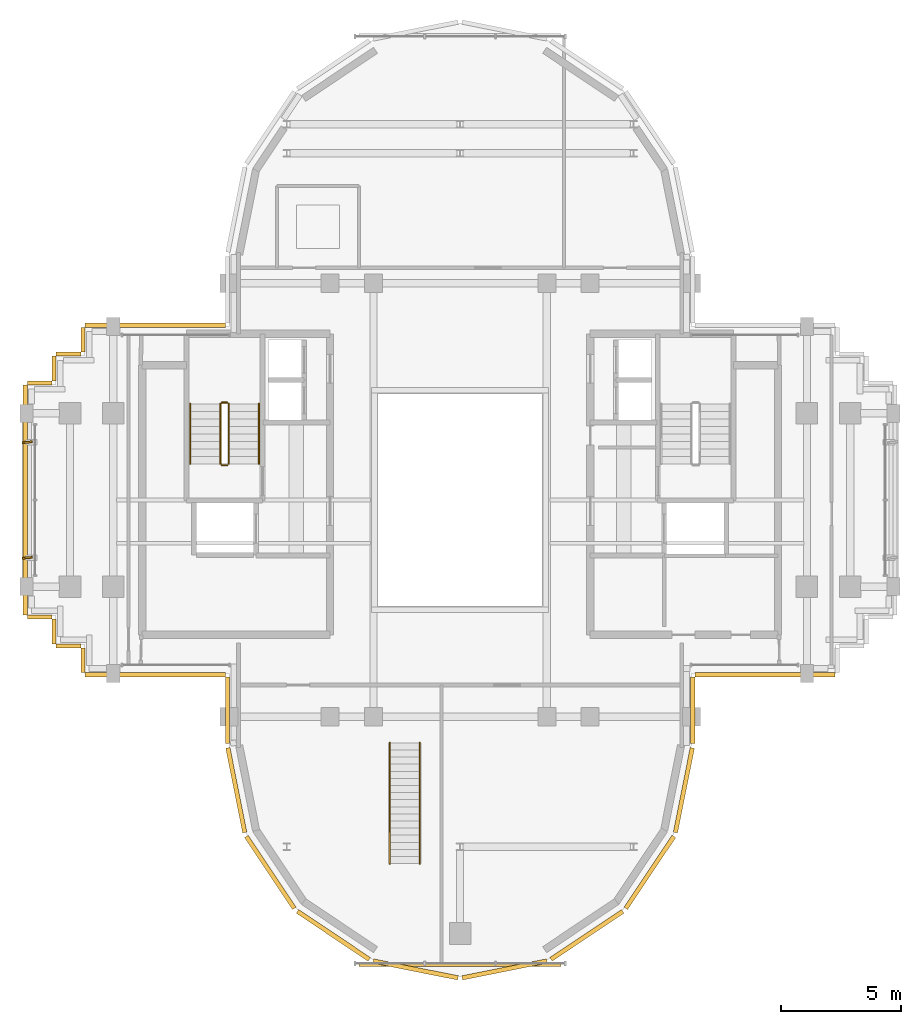
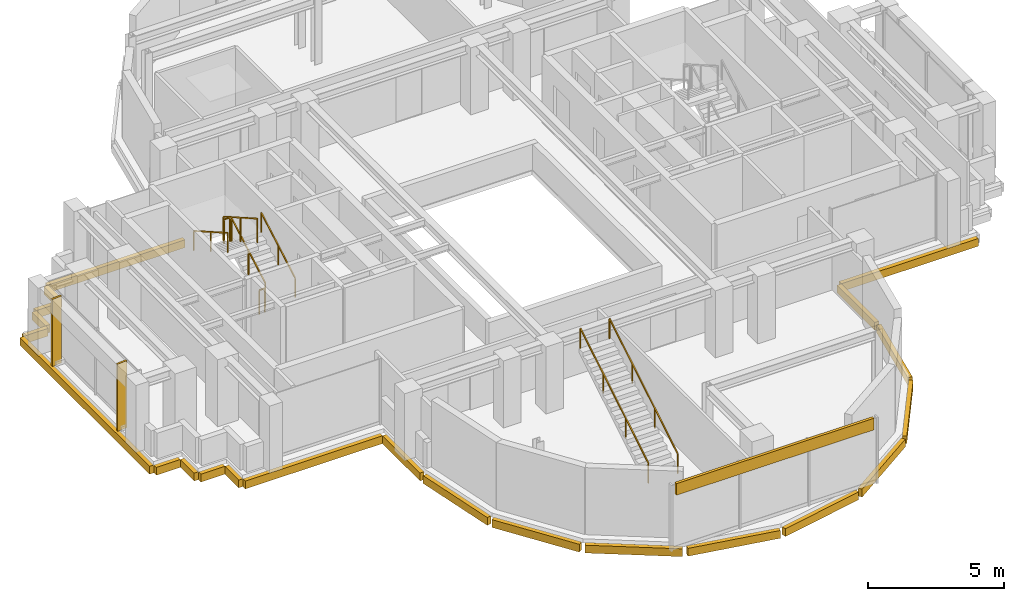
# One storey, part 11 of 12: 23 coverings, 8 railings, 2 shading devices.
"""IFC4 building model written with IfcOpenShell, lengths in metres."""

import ifcopenshell
import ifcopenshell.guid

model = None  # the IFC model being written
_history = None  # IfcOwnerHistory: only IFC2X3 demands one
_inside = {}  # id of a spatial element -> (the spatial element, [elements in it])
_under = {}  # id of a project, library or spatial element -> (it, [spatial elements below it])
_declared = {}  # id of a project -> (the project, [libraries it declares])
_typed = {}  # id of a type object -> (the type object, [elements of that type])
_made_of = {}  # id of a material, layer set ... -> (it, [elements and type objects made of it])


def new_model(schema):
    """Start an empty IFC model of exactly this schema.

    Asked for "IFC4X3", IfcOpenShell would pick the latest addendum, in which some entities
    have other attributes; the version numbers below select the first issue.
    IFC2X3 requires an IfcOwnerHistory on every rooted entity: one is made here for all.
    """
    global model, _history
    if schema == "IFC4X3":
        model = ifcopenshell.file(schema_version=(4, 3, 0, 0))
    else:
        model = ifcopenshell.file(schema=schema)
    _inside.clear()
    _under.clear()
    _declared.clear()
    _typed.clear()
    _made_of.clear()
    _history = None
    if model.schema == "IFC2X3":
        org = make("IfcOrganization", Name="unknown")
        user = make(
            "IfcPersonAndOrganization",
            ThePerson=make("IfcPerson", FamilyName="unknown"),
            TheOrganization=org,
        )
        app = make(
            "IfcApplication",
            ApplicationDeveloper=org,
            Version="unknown",
            ApplicationFullName="unknown",
            ApplicationIdentifier="unknown",
        )
        _history = make(
            "IfcOwnerHistory",
            OwningUser=user,
            OwningApplication=app,
            ChangeAction="ADDED",
            CreationDate=0,
        )
    return model


def make(cls, **values):
    """One entity of the class cls with the attributes given. An attribute that is None is left unset."""
    return model.create_entity(
        cls, **{name: value for name, value in values.items() if value is not None}
    )


def rooted(cls, **values):
    """An entity with a GlobalId (a new one), such as an element, a storey or a relation."""
    return make(cls, GlobalId=ifcopenshell.guid.new(), OwnerHistory=_history, **values)


def si_unit(unit_type, name, prefix=None):
    """IfcSIUnit, for example si_unit("LENGTHUNIT", "METRE", prefix="MILLI")."""
    return make("IfcSIUnit", UnitType=unit_type, Prefix=prefix, Name=name)


def assignment(units):
    """IfcUnitAssignment: the units of a project."""
    return None if units is None else make("IfcUnitAssignment", Units=units)


def point(xyz):
    """IfcCartesianPoint."""
    return None if xyz is None else make("IfcCartesianPoint", Coordinates=xyz)


def direction(xyz):
    """IfcDirection."""
    return None if xyz is None else make("IfcDirection", DirectionRatios=xyz)


def frame(location, z_axis=None, x_axis=None):
    """IfcAxis2Placement3D, a coordinate frame: its origin and axes. An axis left out is left unset."""
    return make(
        "IfcAxis2Placement3D",
        Location=point(location),
        Axis=direction(z_axis),
        RefDirection=direction(x_axis),
    )


def frame_2d(location, x_axis=None):
    """IfcAxis2Placement2D, a coordinate frame in the plane: its origin and x axis."""
    return make(
        "IfcAxis2Placement2D", Location=point(location), RefDirection=direction(x_axis)
    )


def origin():
    """The frame at (0, 0, 0) with its axes left unset."""
    return frame((0.0, 0.0, 0.0))


def origin_2d():
    """The frame at (0, 0) in the plane with its x axis left unset."""
    return frame_2d((0.0, 0.0))


def place(relative_to, where):
    """IfcLocalPlacement: puts the frame where relative to a parent placement (None: the world)."""
    return make(
        "IfcLocalPlacement", PlacementRelTo=relative_to, RelativePlacement=where
    )


def context(
    kind, dimensions, precision=None, world=None, true_north=None, identifier=None
):
    """IfcGeometricRepresentationContext, for example the 3D "Model" context."""
    return make(
        "IfcGeometricRepresentationContext",
        ContextIdentifier=identifier,
        ContextType=kind,
        CoordinateSpaceDimension=dimensions,
        Precision=precision,
        WorldCoordinateSystem=world,
        TrueNorth=true_north,
    )


def subcontext(parent, identifier, kind, view, scale=None):
    """IfcGeometricRepresentationSubContext, for example "Body" below "Model"."""
    return make(
        "IfcGeometricRepresentationSubContext",
        ContextIdentifier=identifier,
        ContextType=kind,
        ParentContext=parent,
        TargetScale=scale,
        TargetView=view,
    )


def project(units=None, contexts=None):
    """IfcProject with its units and contexts."""
    return rooted(
        "IfcProject",
        Name="project",
        RepresentationContexts=contexts,
        UnitsInContext=assignment(units),
    )


def spatial(cls, under=None, at=None, **own):
    """A site, building, storey or space (cls), placed at a placement, below another one or the project."""
    s = rooted(cls, ObjectPlacement=at, **own)
    if under is not None:
        _under.setdefault(under.id(), (under, []))[1].append(s)
    return s


def profile(cls, at=None, kind="AREA", **sizes):
    """A parametric profile (cls). Its sizes go by their IFC names, for example OverallWidth=200.0."""
    return make(cls, ProfileType=kind, Position=at, **sizes)


def rectangle(**sizes):
    """IfcRectangleProfileDef."""
    return profile("IfcRectangleProfileDef", **sizes)


def extrude(swept, where, along, depth):
    """IfcExtrudedAreaSolid: the profile swept, set in the frame where, extruded along a direction by depth."""
    return make(
        "IfcExtrudedAreaSolid",
        SweptArea=swept,
        Position=where,
        ExtrudedDirection=direction(along),
        Depth=depth,
    )


def shape(context_of_items, identifier, shape_type, items):
    """IfcShapeRepresentation: the items that make up one representation, for example the "Body"."""
    return make(
        "IfcShapeRepresentation",
        ContextOfItems=context_of_items,
        RepresentationIdentifier=identifier,
        RepresentationType=shape_type,
        Items=items,
    )


def source(mapping_origin, context_of_items, identifier, shape_type, items):
    """IfcRepresentationMap: a shape defined once, which mapped items show again and again."""
    return make(
        "IfcRepresentationMap",
        MappingOrigin=mapping_origin,
        MappedRepresentation=shape(context_of_items, identifier, shape_type, items),
    )


def transform(
    local_origin,
    x_axis=None,
    y_axis=None,
    z_axis=None,
    scale=None,
    scale2=None,
    scale3=None,
    uniform=True,
):
    """IfcCartesianTransformationOperator3D, or its non-uniform kind. x_axis, y_axis, z_axis: its Axis1, 2, 3."""
    if uniform:
        return make(
            "IfcCartesianTransformationOperator3D",
            Axis1=direction(x_axis),
            Axis2=direction(y_axis),
            LocalOrigin=point(local_origin),
            Scale=scale,
            Axis3=direction(z_axis),
        )
    return make(
        "IfcCartesianTransformationOperator3DnonUniform",
        Axis1=direction(x_axis),
        Axis2=direction(y_axis),
        LocalOrigin=point(local_origin),
        Scale=scale,
        Axis3=direction(z_axis),
        Scale2=scale2,
        Scale3=scale3,
    )


def mapped(mapping_source, mapping_target):
    """IfcMappedItem: shows the shape of a source again, moved by a transform."""
    return make(
        "IfcMappedItem", MappingSource=mapping_source, MappingTarget=mapping_target
    )


def material(Name=None, Category=None):
    """IfcMaterial."""
    return make("IfcMaterial", Name=Name, Category=Category)


def layer(
    of_material, thickness, ventilated=None, Name=None, Category=None, Priority=None
):
    """IfcMaterialLayer: one layer of a wall or slab, of a material (None: an air gap)."""
    return make(
        "IfcMaterialLayer",
        Material=of_material,
        LayerThickness=thickness,
        IsVentilated=ventilated,
        Name=Name,
        Category=Category,
        Priority=Priority,
    )


def layer_set(layers, Name=None):
    """IfcMaterialLayerSet."""
    return make("IfcMaterialLayerSet", MaterialLayers=layers, LayerSetName=Name)


def made_of(thing, what):
    """Note that an element or type object is made of a material, layer set ...; save() writes the relation."""
    if what is not None:
        _made_of.setdefault(what.id(), (what, []))[1].append(thing)
    return thing


def type_object(cls, material=None, **own):
    """A type object (cls), such as IfcWallType, which elements share."""
    return made_of(rooted(cls, **own), material)


def element(
    cls,
    number,
    at=None,
    inside=None,
    cuts=None,
    type_object=None,
    material=None,
    context=None,
    identifier="Body",
    shape_type=None,
    held_by="IfcProductDefinitionShape",
    body=None,
    shapes=None,
    **own,
):
    """One element of the class cls, such as IfcWall. Its Tag is "e" and its number.

    at: its placement. inside: the storey or other place that contains it. cuts: it is an
    opening in that element (IfcRelVoidsElement). A single representation is given by context,
    identifier, shape_type and body (its items); several are given by shapes. held_by: the class
    of the entity that holds the representations. save() writes the other relations.
    """
    e = rooted(cls, Tag="e%d" % number, ObjectPlacement=at, **own)
    if body is not None:
        shapes = [shape(context, identifier, shape_type, body)]
    if shapes is not None:
        e.Representation = make(held_by, Representations=shapes)
    if inside is not None:
        _inside.setdefault(inside.id(), (inside, []))[1].append(e)
    if cuts is not None:
        rooted(
            "IfcRelVoidsElement", RelatingBuildingElement=cuts, RelatedOpeningElement=e
        )
    if type_object is not None:
        _typed.setdefault(type_object.id(), (type_object, []))[1].append(e)
    return made_of(e, material)


def aggregate(whole, parts):
    """IfcRelAggregates: a whole, such as a stair, and the parts it consists of."""
    return rooted("IfcRelAggregates", RelatingObject=whole, RelatedObjects=parts)


def save(model, path):
    """Write the relations noted so far, then the file.

    IfcRelAggregates (storeys below a building ...), IfcRelContainedInSpatialStructure (elements
    in a storey), IfcRelDefinesByType, IfcRelAssociatesMaterial and IfcRelDeclares: one each for
    every whole, place, type object, material and project.
    """
    for whole, parts in _under.values():
        aggregate(whole, parts)
    for where, things in _inside.values():
        rooted(
            "IfcRelContainedInSpatialStructure",
            RelatedElements=things,
            RelatingStructure=where,
        )
    for kind, things in _typed.values():
        rooted("IfcRelDefinesByType", RelatedObjects=things, RelatingType=kind)
    for what, things in _made_of.values():
        rooted("IfcRelAssociatesMaterial", RelatedObjects=things, RelatingMaterial=what)
    for by, libraries in _declared.values():
        rooted("IfcRelDeclares", RelatingContext=by, RelatedDefinitions=libraries)
    model.write(path)


model = new_model("IFC4")

# Units and contexts
model_context = context("Model", 3, precision=1e-05, world=origin(), true_north=direction((0.0, 1.0)))
body_context = subcontext(model_context, "Body", "Model", "MODEL_VIEW")
ifc_project = project(units=[si_unit("LENGTHUNIT", "METRE"), si_unit("AREAUNIT", "SQUARE_METRE"), si_unit("VOLUMEUNIT", "CUBIC_METRE"), si_unit("PLANEANGLEUNIT", "RADIAN"), si_unit("MASSUNIT", "GRAM", prefix="KILO")], contexts=[model_context])

# Site, building, storey
site_placement = place(None, origin())
site = spatial("IfcSite", under=ifc_project, at=site_placement, CompositionType="ELEMENT")
building_placement = place(site_placement, origin())
building = spatial("IfcBuilding", under=site, at=building_placement, Name="Keilestroom Media Tower", CompositionType="ELEMENT")
storey_placement = place(building_placement, frame((0.0, 0.0, 239.60009765625)))
storey = spatial("IfcBuildingStorey", under=building, at=storey_placement, Name="L66", CompositionType="ELEMENT", Elevation=239.60009765625)

# Railings
ifc_material_1 = material(Name="Brushed Stainless Steel 1.4301", Category="steel")
railing_type_1 = type_object("IfcRailingType", Name="Stair-Pitch-Handrail-920", PredefinedType="HANDRAIL", material=ifc_material_1)
railing_1_placement = place(storey_placement, frame((-8.35009765625, 1.5, 0.177734375)))
element("IfcRailing", 1, at=railing_1_placement, inside=storey, type_object=railing_type_1, Name="L66 ST-1 stair handrail 1", PredefinedType="HANDRAIL", context=body_context, shape_type="SweptSolid", body=[
    extrude(rectangle(XDim=0.048095703125, YDim=0.048095703125, at=origin_2d()), frame((0.0, 0.0, 0.8759765625), z_axis=(0.0, 0.868875238982, 0.495031129408), x_axis=(-1.0, 0.0, 0.0)), (0.0, 0.0, 1.0), 2.872802734375),
    extrude(rectangle(XDim=0.0419921875, YDim=0.0419921875, at=origin_2d()), origin(), (0.0, 0.0, 1.0), 0.84375),
    extrude(rectangle(XDim=0.0419921875, YDim=0.0419921875, at=origin_2d()), frame((0.0, 1.248046875, 0.7109375)), (0.0, 0.0, 1.0), 0.84375),
    extrude(rectangle(XDim=0.0419921875, YDim=0.0419921875, at=origin_2d()), frame((0.0, 2.49609375, 1.422119140625)), (0.0, 0.0, 1.0), 0.84375),
])
railing_2_placement = place(storey_placement, frame((-11.2099609375, 3.99609375, 1.777587890625)))
element("IfcRailing", 2, at=railing_2_placement, inside=storey, type_object=railing_type_1, Name="L66 ST-1 stair handrail 2", PredefinedType="HANDRAIL", context=body_context, shape_type="SweptSolid", body=[
    extrude(rectangle(XDim=0.048095703125, YDim=0.048095703125, at=origin_2d()), frame((0.0, 0.0, 0.8759765625), z_axis=(0.0, -0.868838684858, 0.495095283449), x_axis=(1.0, 0.0, 0.0)), (0.0, 0.0, 1.0), 2.872802734375),
    extrude(rectangle(XDim=0.0419921875, YDim=0.0419921875, at=origin_2d()), origin(), (0.0, 0.0, 1.0), 0.84375),
    extrude(rectangle(XDim=0.0419921875, YDim=0.0419921875, at=origin_2d()), frame((0.0, -1.248046875, 0.711181640625)), (0.0, 0.0, 1.0), 0.84375),
    extrude(rectangle(XDim=0.0419921875, YDim=0.0419921875, at=origin_2d()), frame((0.0, -2.49609375, 1.42236328125)), (0.0, 0.0, 1.0), 0.84375),
])
for number, where, name in (
    (3, (-2.919921875, -15.10009765625, 0.0), "ST-F3 Handrail L"),
    (4, (-1.679931640625, -15.10009765625, 0.0), "ST-F3 Handrail R"),
):
    element("IfcRailing", number, at=place(storey_placement, frame(where)), inside=storey, type_object=railing_type_1, Name=name, PredefinedType="HANDRAIL", context=body_context, shape_type="SweptSolid", body=[
        extrude(rectangle(XDim=0.048095703125, YDim=0.048095703125, at=origin_2d()), frame((0.0, 0.0, 0.89599609375), z_axis=(0.0, 0.85650169281, 0.51614421455), x_axis=(-1.0, 0.0, 0.0)), (0.0, 0.0, 1.0), 5.85546875),
        extrude(rectangle(XDim=0.0419921875, YDim=0.0419921875, at=origin_2d()), origin(), (0.0, 0.0, 1.0), 0.86376953125),
        extrude(rectangle(XDim=0.0419921875, YDim=0.0419921875, at=origin_2d()), frame((0.0, 1.671630859375, 1.00732421875)), (0.0, 0.0, 1.0), 0.86376953125),
        extrude(rectangle(XDim=0.0419921875, YDim=0.0419921875, at=origin_2d()), frame((0.0, 3.343505859375, 2.014892578125)), (0.0, 0.0, 1.0), 0.86376953125),
        extrude(rectangle(XDim=0.0419921875, YDim=0.0419921875, at=origin_2d()), frame((0.0, 5.01513671875, 3.022216796875)), (0.0, 0.0, 1.0), 0.86376953125),
    ])
ifc_material_2 = material(Name="Painted Steel Balustrade", Category="steel")
railing_type_2 = type_object("IfcRailingType", Name="Stair-Well-And-Landing-Guard-1100", PredefinedType="GUARDRAIL", material=ifc_material_2)
railing_3_placement = place(storey_placement, frame((-9.610107421875, 1.5, 0.177734375)))
element("IfcRailing", 5, at=railing_3_placement, inside=storey, type_object=railing_type_2, Name="L66 ST-1 stair guard 1", PredefinedType="GUARDRAIL", context=body_context, shape_type="SweptSolid", body=[
    extrude(rectangle(XDim=0.048095703125, YDim=0.048095703125, at=origin_2d()), frame((0.0, 0.0, 1.076171875), z_axis=(0.0, 0.868875238982, 0.495031129408), x_axis=(-1.0, 0.0, 0.0)), (0.0, 0.0, 1.0), 2.872802734375),
    extrude(rectangle(XDim=0.0419921875, YDim=0.0419921875, at=origin_2d()), origin(), (0.0, 0.0, 1.0), 1.0439453125),
    extrude(rectangle(XDim=0.0419921875, YDim=0.0419921875, at=origin_2d()), frame((0.0, 1.248046875, 0.7109375)), (0.0, 0.0, 1.0), 1.0439453125),
    extrude(rectangle(XDim=0.0419921875, YDim=0.0419921875, at=origin_2d()), frame((0.0, 2.49609375, 1.422119140625)), (0.0, 0.0, 1.0), 1.0439453125),
])
railing_4_placement = place(storey_placement, frame((-9.659912109375, 4.0458984375, 1.599853515625)))
element("IfcRailing", 6, at=railing_4_placement, inside=storey, type_object=railing_type_2, Name="L66 ST-1 stair guard 2", PredefinedType="GUARDRAIL", context=body_context, shape_type="SweptSolid", body=[
    extrude(rectangle(XDim=0.048095703125, YDim=0.048095703125, at=origin_2d()), frame((0.0, 0.0, 1.076171875), z_axis=(-1.0, 0.0, 0.0), x_axis=(0.0, -1.0, 0.0)), (0.0, 0.0, 1.0), 0.239990234375),
    extrude(rectangle(XDim=0.0419921875, YDim=0.0419921875, at=origin_2d()), origin(), (0.0, 0.0, 1.0), 1.0439453125),
    extrude(rectangle(XDim=0.0419921875, YDim=0.0419921875, at=origin_2d()), frame((-0.239990234375, 0.0, 0.0)), (0.0, 0.0, 1.0), 1.0439453125),
])
railing_5_placement = place(storey_placement, frame((-9.949951171875, 3.99609375, 1.777587890625)))
element("IfcRailing", 7, at=railing_5_placement, inside=storey, type_object=railing_type_2, Name="L66 ST-1 stair guard 3", PredefinedType="GUARDRAIL", context=body_context, shape_type="SweptSolid", body=[
    extrude(rectangle(XDim=0.048095703125, YDim=0.048095703125, at=origin_2d()), frame((0.0, 0.0, 1.076171875), z_axis=(0.0, -0.868838684858, 0.495095283449), x_axis=(1.0, 0.0, 0.0)), (0.0, 0.0, 1.0), 2.872802734375),
    extrude(rectangle(XDim=0.0419921875, YDim=0.0419921875, at=origin_2d()), origin(), (0.0, 0.0, 1.0), 1.0439453125),
    extrude(rectangle(XDim=0.0419921875, YDim=0.0419921875, at=origin_2d()), frame((0.0, -1.248046875, 0.711181640625)), (0.0, 0.0, 1.0), 1.0439453125),
    extrude(rectangle(XDim=0.0419921875, YDim=0.0419921875, at=origin_2d()), frame((0.0, -2.49609375, 1.42236328125)), (0.0, 0.0, 1.0), 1.0439453125),
])
railing_6_placement = place(storey_placement, frame((-9.659912109375, 1.449951171875, 0.0)))
element("IfcRailing", 8, at=railing_6_placement, inside=storey, type_object=railing_type_2, Name="L66 ST-1 stair guard 4", PredefinedType="GUARDRAIL", context=body_context, shape_type="SweptSolid", body=[
    extrude(rectangle(XDim=0.048095703125, YDim=0.048095703125, at=origin_2d()), frame((0.0, 0.0, 1.076171875), z_axis=(-1.0, 0.0, 0.0), x_axis=(0.0, -1.0, 0.0)), (0.0, 0.0, 1.0), 0.239990234375),
    extrude(rectangle(XDim=0.0419921875, YDim=0.0419921875, at=origin_2d()), origin(), (0.0, 0.0, 1.0), 1.0439453125),
    extrude(rectangle(XDim=0.0419921875, YDim=0.0419921875, at=origin_2d()), frame((-0.239990234375, 0.0, 0.0)), (0.0, 0.0, 1.0), 1.0439453125),
])

# Covering
ifc_material_3 = material(Name="Precast concrete C40/50", Category="concrete")
ifc_layer = layer(ifc_material_3, 0.1201171875)
ifc_layer_set = layer_set([ifc_layer], Name="Precast concrete C40/50")
covering_type = type_object("IfcCoveringType", Name="Exterior-Precast-Spandrel-Cladding-Panel-120", PredefinedType="CLADDING", material=ifc_layer_set)
shared_shape_1 = source(origin(), body_context, "Body", "SweptSolid", [
    extrude(rectangle(XDim=8.39990234375, YDim=0.1201171875, at=origin_2d()), origin(), (0.0, 0.0, 1.0), 0.52001953125),
])
covering_1_placement = place(storey_placement, frame((0.0, -19.320068359375, 2.5), z_axis=(0.0, 0.0, 1.0), x_axis=(1.0, 0.0, 0.0)))
element("IfcCovering", 9, at=covering_1_placement, inside=storey, type_object=covering_type, Name="L66 Precast Spandrel Cladding S", PredefinedType="CLADDING", context=body_context, shape_type="MappedRepresentation", body=[
    mapped(shared_shape_1, transform((0.0, 0.0, 0.0), x_axis=(1.0, 0.0, 0.0), y_axis=(0.0, 1.0, 0.0), z_axis=(0.0, 0.0, 1.0), scale=1.0)),
])

# Shading devices
ifc_material_4 = material(Name="Bronze Anodised Aluminium", Category="aluminium")
shading_device_type = type_object("IfcShadingDeviceType", Name="Facade-Vertical-Sunshade-Fin-SHD-1", PredefinedType="USERDEFINED", material=ifc_material_4)
shared_shape_2 = source(origin(), body_context, "Body", "SweptSolid", [
    extrude(rectangle(XDim=0.419921875, YDim=0.080078125, at=origin_2d()), origin(), (0.0, 0.0, 1.0), 3.010009765625),
])
for number, where, z_axis, x_axis, name in (
    (10, (-17.969970703125, -2.39990234375, 0.0), (0.0, 0.0, 1.0), (0.996194698092, 0.087155742748, 0.0), "L66 Twisting Sunshade Fin SHD-1 101"),
    (11, (-17.969970703125, 2.39990234375, 0.0), (0.0, 0.0, 1.0), (0.996194698092, 0.087155742748, 0.0), "L66 Twisting Sunshade Fin SHD-1 102"),
):
    element("IfcShadingDevice", number, at=place(storey_placement, frame(where, z_axis=z_axis, x_axis=x_axis)), inside=storey, type_object=shading_device_type, Name=name, ObjectType="SUNSHADE", PredefinedType="USERDEFINED", context=body_context, shape_type="MappedRepresentation", body=[
        mapped(shared_shape_2, transform((0.0, 0.0, 0.0), x_axis=(1.0, 0.0, 0.0), y_axis=(0.0, 1.0, 0.0), z_axis=(0.0, 0.0, 1.0), scale=1.0)),
    ])

# Coverings
shared_shape_3 = source(origin(), body_context, "Body", "SweptSolid", [
    extrude(rectangle(XDim=1.02001953125, YDim=0.179931640625, at=origin_2d()), origin(), (0.0, 0.0, 1.0), 0.35009765625),
])
for number, where, z_axis, x_axis, name in (
    (12, (-15.659912109375, -6.659912109375, -0.530029296875), (0.0, 0.0, 1.0), (0.0, 1.0, 0.0), "L66 Precast Slab-Edge Fascia Cornice 17"),
    (13, (-16.260009765625, -6.06005859375, -0.530029296875), (0.0, 0.0, 1.0), (-1.0, 0.0, 0.0), "L66 Precast Slab-Edge Fascia Cornice 18"),
    (14, (-16.860107421875, -5.4599609375, -0.530029296875), (0.0, 0.0, 1.0), (0.0, 1.0, 0.0), "L66 Precast Slab-Edge Fascia Cornice 19"),
    (15, (-17.4599609375, -4.860107421875, -0.530029296875), (0.0, 0.0, 1.0), (-1.0, 0.0, 0.0), "L66 Precast Slab-Edge Fascia Cornice 20"),
    (16, (-17.4599609375, 4.860107421875, -0.530029296875), (0.0, 0.0, 1.0), (1.0, 0.0, 0.0), "L66 Precast Slab-Edge Fascia Cornice 22"),
    (17, (-16.860107421875, 5.4599609375, -0.530029296875), (0.0, 0.0, 1.0), (0.0, 1.0, 0.0), "L66 Precast Slab-Edge Fascia Cornice 23"),
    (18, (-16.260009765625, 6.06005859375, -0.530029296875), (0.0, 0.0, 1.0), (1.0, 0.0, 0.0), "L66 Precast Slab-Edge Fascia Cornice 24"),
    (19, (-15.659912109375, 6.659912109375, -0.530029296875), (0.0, 0.0, 1.0), (0.0, 1.0, 0.0), "L66 Precast Slab-Edge Fascia Cornice 25"),
):
    element("IfcCovering", number, at=place(storey_placement, frame(where, z_axis=z_axis, x_axis=x_axis)), inside=storey, type_object=covering_type, Name=name, PredefinedType="CLADDING", context=body_context, shape_type="MappedRepresentation", body=[
        mapped(shared_shape_3, transform((0.0, 0.0, 0.0), x_axis=(1.0, 0.0, 0.0), y_axis=(0.0, 1.0, 0.0), z_axis=(0.0, 0.0, 1.0), scale=1.0)),
    ])
shared_shape_4 = source(origin(), body_context, "Body", "SweptSolid", [
    extrude(rectangle(XDim=5.820068359375, YDim=0.179931640625, at=origin_2d()), origin(), (0.0, 0.0, 1.0), 0.35009765625),
])
for number, where, z_axis, x_axis, name in (
    (20, (12.659912109375, -7.260009765625, -0.530029296875), (0.0, 0.0, 1.0), (-1.0, 0.0, 0.0), "L66 Precast Slab-Edge Fascia Cornice 05"),
    (21, (-12.659912109375, -7.260009765625, -0.530029296875), (0.0, 0.0, 1.0), (-1.0, 0.0, 0.0), "L66 Precast Slab-Edge Fascia Cornice 16"),
    (22, (-12.659912109375, 7.260009765625, -0.530029296875), (0.0, 0.0, 1.0), (1.0, 0.0, 0.0), "L66 Precast Slab-Edge Fascia Cornice 26"),
):
    element("IfcCovering", number, at=place(storey_placement, frame(where, z_axis=z_axis, x_axis=x_axis)), inside=storey, type_object=covering_type, Name=name, PredefinedType="CLADDING", context=body_context, shape_type="MappedRepresentation", body=[
        mapped(shared_shape_4, transform((0.0, 0.0, 0.0), x_axis=(1.0, 0.0, 0.0), y_axis=(0.0, 1.0, 0.0), z_axis=(0.0, 0.0, 1.0), scale=1.0)),
    ])
shared_shape_5 = source(origin(), body_context, "Body", "SweptSolid", [
    extrude(rectangle(XDim=2.765869140625, YDim=0.179931640625, at=origin_2d()), origin(), (0.0, 0.0, 1.0), 0.35009765625),
])
for number, where, z_axis, x_axis, name in (
    (23, (9.659912109375, -8.73291015625, -0.530029296875), (0.0, 0.0, 1.0), (0.0, -1.0, 0.0), "L66 Precast Slab-Edge Fascia Cornice 06"),
    (24, (-9.659912109375, -8.73291015625, -0.530029296875), (0.0, 0.0, 1.0), (0.0, 1.0, 0.0), "L66 Precast Slab-Edge Fascia Cornice 15"),
):
    element("IfcCovering", number, at=place(storey_placement, frame(where, z_axis=z_axis, x_axis=x_axis)), inside=storey, type_object=covering_type, Name=name, PredefinedType="CLADDING", context=body_context, shape_type="MappedRepresentation", body=[
        mapped(shared_shape_5, transform((0.0, 0.0, 0.0), x_axis=(1.0, 0.0, 0.0), y_axis=(0.0, 1.0, 0.0), z_axis=(0.0, 0.0, 1.0), scale=1.0)),
    ])
shared_shape_6 = source(origin(), body_context, "Body", "SweptSolid", [
    extrude(rectangle(XDim=3.58349609375, YDim=0.179931640625, at=origin_2d()), origin(), (0.0, 0.0, 1.0), 0.35009765625),
])
for number, where, z_axis, x_axis, name in (
    (25, (9.29296875, -12.051513671875, -0.530029296875), (0.0, 0.0, 1.0), (-0.195098880975, -0.980783577882, 0.0), "L66 Precast Slab-Edge Fascia Cornice 07"),
    (26, (-9.29296875, -12.051513671875, -0.530029296875), (0.0, 0.0, 1.0), (-0.195098880975, 0.980783577882, 0.0), "L66 Precast Slab-Edge Fascia Cornice 14"),
):
    element("IfcCovering", number, at=place(storey_placement, frame(where, z_axis=z_axis, x_axis=x_axis)), inside=storey, type_object=covering_type, Name=name, PredefinedType="CLADDING", context=body_context, shape_type="MappedRepresentation", body=[
        mapped(shared_shape_6, transform((0.0, 0.0, 0.0), x_axis=(1.0, 0.0, 0.0), y_axis=(0.0, 1.0, 0.0), z_axis=(0.0, 0.0, 1.0), scale=1.0)),
    ])
shared_shape_7 = source(origin(), body_context, "Body", "SweptSolid", [
    extrude(rectangle(XDim=3.589599609375, YDim=0.179931640625, at=origin_2d()), origin(), (0.0, 0.0, 1.0), 0.35009765625),
])
for number, where, z_axis, x_axis, name in (
    (27, (7.878662109375, -15.46435546875, -0.530029296875), (0.0, 0.0, 1.0), (-0.555574586577, -0.831466703332, 0.0), "L66 Precast Slab-Edge Fascia Cornice 08"),
    (28, (5.264404296875, -18.07861328125, -0.530029296875), (0.0, 0.0, 1.0), (-0.831466703332, -0.555574586577, 0.0), "L66 Precast Slab-Edge Fascia Cornice 09"),
    (29, (1.8486328125, -19.493408203125, -0.530029296875), (0.0, 0.0, 1.0), (-0.980783577882, -0.195098880975, 0.0), "L66 Precast Slab-Edge Fascia Cornice 10"),
    (30, (-1.8486328125, -19.493408203125, -0.530029296875), (0.0, 0.0, 1.0), (-0.980783577882, 0.195098880975, 0.0), "L66 Precast Slab-Edge Fascia Cornice 11"),
    (31, (-5.264404296875, -18.07861328125, -0.530029296875), (0.0, 0.0, 1.0), (-0.831466703332, 0.555574586577, 0.0), "L66 Precast Slab-Edge Fascia Cornice 12"),
    (32, (-7.878662109375, -15.46435546875, -0.530029296875), (0.0, 0.0, 1.0), (-0.555574586577, 0.831466703332, 0.0), "L66 Precast Slab-Edge Fascia Cornice 13"),
):
    element("IfcCovering", number, at=place(storey_placement, frame(where, z_axis=z_axis, x_axis=x_axis)), inside=storey, type_object=covering_type, Name=name, PredefinedType="CLADDING", context=body_context, shape_type="MappedRepresentation", body=[
        mapped(shared_shape_7, transform((0.0, 0.0, 0.0), x_axis=(1.0, 0.0, 0.0), y_axis=(0.0, 1.0, 0.0), z_axis=(0.0, 0.0, 1.0), scale=1.0)),
    ])
shared_shape_8 = source(origin(), body_context, "Body", "SweptSolid", [
    extrude(rectangle(XDim=9.5400390625, YDim=0.179931640625, at=origin_2d()), origin(), (0.0, 0.0, 1.0), 0.35009765625),
])
covering_2_placement = place(storey_placement, frame((-18.06005859375, 0.0, -0.530029296875), z_axis=(0.0, 0.0, 1.0), x_axis=(0.0, 1.0, 0.0)))
element("IfcCovering", 33, at=covering_2_placement, inside=storey, type_object=covering_type, Name="L66 Precast Slab-Edge Fascia Cornice 21", PredefinedType="CLADDING", context=body_context, shape_type="MappedRepresentation", body=[
    mapped(shared_shape_8, transform((0.0, 0.0, 0.0), x_axis=(1.0, 0.0, 0.0), y_axis=(0.0, 1.0, 0.0), z_axis=(0.0, 0.0, 1.0), scale=1.0)),
])

save(model, "model.ifc")
